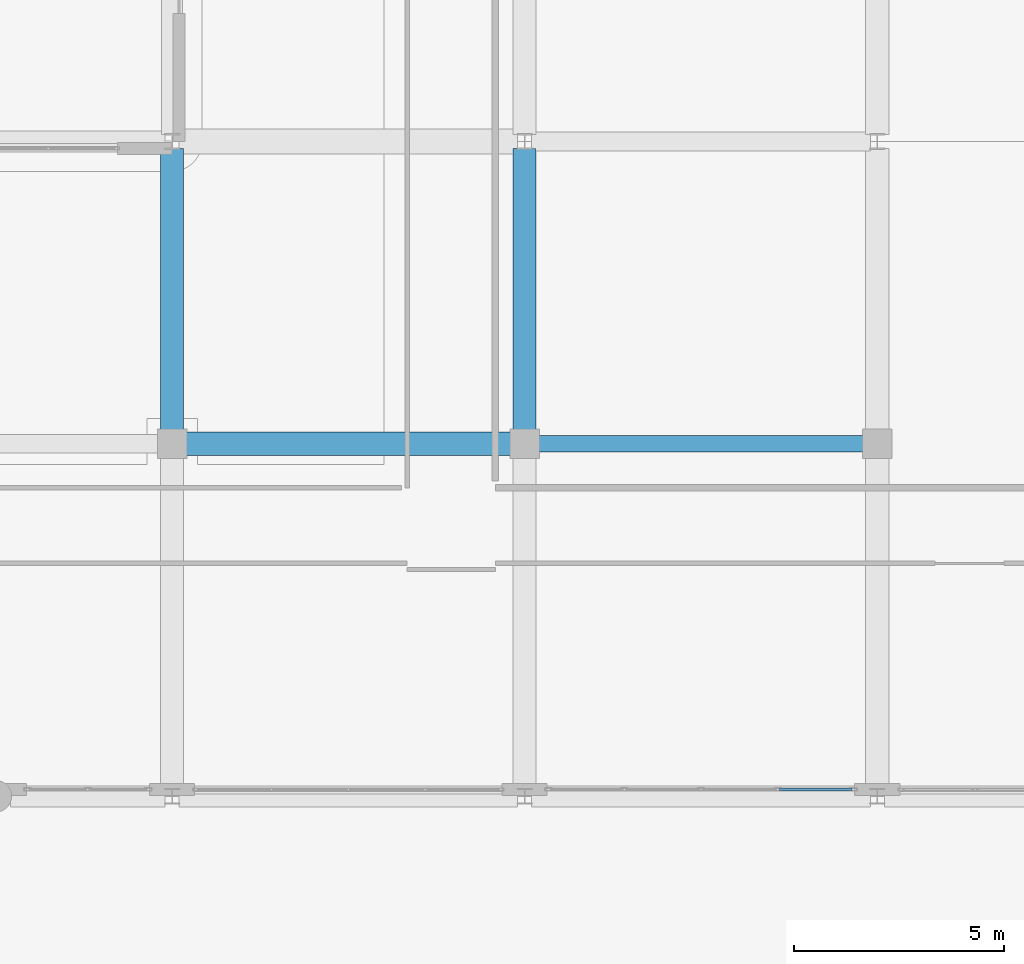
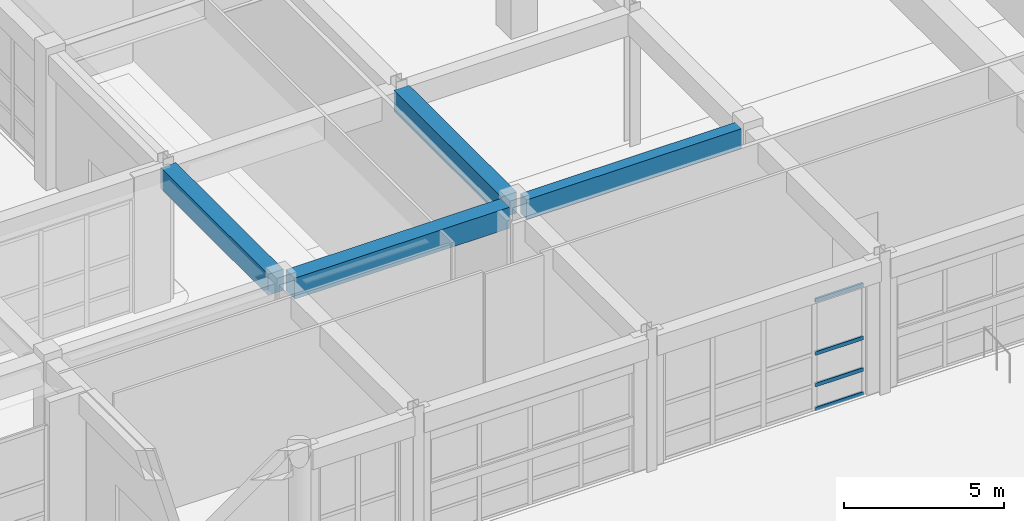
# One storey, part 47 of 148: 4 beams, 4 members, 1 element without a shape of its own.
"""IFC4 building model written with IfcOpenShell, lengths in metres."""

from ifc_helpers import new_model, si_unit, direction, frame, origin, origin_2d, place, context, subcontext, project, spatial, rectangle, hollow_rectangle, extrude, material, layer, layer_set, material_profile, profile_set, type_object, element, aggregate, save


model = new_model("IFC4")

# Units and contexts
model_context = context("Model", 3, precision=1e-05, world=origin(), true_north=direction((0.0, 1.0)))
body_context = subcontext(model_context, "Body", "Model", "MODEL_VIEW")
ifc_project = project(units=[si_unit("LENGTHUNIT", "METRE"), si_unit("AREAUNIT", "SQUARE_METRE"), si_unit("VOLUMEUNIT", "CUBIC_METRE"), si_unit("PLANEANGLEUNIT", "RADIAN"), si_unit("MASSUNIT", "GRAM", prefix="KILO")], contexts=[model_context])

# Site, building, storey
site_placement = place(None, origin())
site = spatial("IfcSite", under=ifc_project, at=site_placement, CompositionType="ELEMENT")
building_placement = place(site_placement, origin())
building = spatial("IfcBuilding", under=site, at=building_placement, Name="Quendrovan Civic Courthouse", CompositionType="ELEMENT")
storey_placement = place(building_placement, origin())
storey = spatial("IfcBuildingStorey", under=building, at=storey_placement, Name="L01", CompositionType="ELEMENT", Elevation=0.0)

# Beams
ifc_material_1 = material(Name="Concrete C40/50", Category="concrete")
ifc_material_profile_1 = material_profile(ifc_material_1, rectangle(XDim=0.39990234375, YDim=0.75, at=origin_2d()), Name="RC-BM-400x750")
ifc_profile_set_1 = profile_set([ifc_material_profile_1], Name="Concrete C40/50")
beam_type_1 = type_object("IfcBeamType", Name="BM-RC750B", PredefinedType="BEAM", material=ifc_profile_set_1)
beam_1_placement = place(storey_placement, frame((42.330078125, 73.199951171875, 4.7451171875), z_axis=(1.0, 0.0, 0.0), x_axis=(0.0, 1.0, 0.0)))
element("IfcBeam", 1, at=beam_1_placement, inside=storey, type_object=beam_type_1, Name="L01 Girder X0304", PredefinedType="BEAM", context=body_context, shape_type="SweptSolid", body=[
    extrude(rectangle(XDim=0.39990234375, YDim=0.75, at=origin_2d()), origin(), (0.0, 0.0, 1.0), 7.739990234375),
])
ifc_material_profile_2 = material_profile(ifc_material_1, rectangle(XDim=0.550048828125, YDim=0.800048828125, at=origin_2d()), Name="RC-BM-550x800")
ifc_profile_set_2 = profile_set([ifc_material_profile_2], Name="Concrete C40/50")
beam_type_2 = type_object("IfcBeamType", Name="BM-RC800", PredefinedType="BEAM", material=ifc_profile_set_2)
beam_2_placement = place(storey_placement, frame((33.929931640625, 73.199951171875, 4.719970703125), z_axis=(1.0, 0.0, 0.0), x_axis=(0.0, 1.0, 0.0)))
element("IfcBeam", 2, at=beam_2_placement, inside=storey, type_object=beam_type_2, Name="L01 Girder X0303", PredefinedType="BEAM", context=body_context, shape_type="SweptSolid", body=[
    extrude(rectangle(XDim=0.550048828125, YDim=0.800048828125, at=origin_2d()), origin(), (0.0, 0.0, 1.0), 7.739990234375),
])
for number, where, z_axis, x_axis, name in (
    (3, (33.60009765625, 73.530029296875, 4.719970703125), (0.0, 1.0, 0.0), (-1.0, 0.0, 0.0), "L01 Girder Y0405"),
    (4, (42.0, 73.530029296875, 4.719970703125), (0.0, 1.0, 0.0), (-1.0, 0.0, 0.0), "L01 Girder Y0413"),
):
    element("IfcBeam", number, at=place(storey_placement, frame(where, z_axis=z_axis, x_axis=x_axis)), inside=storey, type_object=beam_type_2, Name=name, PredefinedType="BEAM", context=body_context, shape_type="SweptSolid", body=[
        extrude(rectangle(XDim=0.550048828125, YDim=0.800048828125, at=origin_2d()), origin(), (0.0, 0.0, 1.0), 6.703857421875),
    ])

# Curtain wall, members
ifc_material_2 = material(Name="Bronze anodised aluminium and low-E glass", Category="aluminium")
ifc_layer = layer(ifc_material_2, 0.179931640625, Name="Bronze anodised aluminium and low-E glass")
ifc_layer_set = layer_set([ifc_layer], Name="Bronze anodised aluminium and low-E glass")
curtain_wall_type = type_object("IfcCurtainWallType", Name="CW-U73x42", PredefinedType="USERDEFINED", material=ifc_layer_set)
curtain_wall_placement = place(storey_placement, origin())
curtain_wall = element("IfcCurtainWall", 5, at=curtain_wall_placement, inside=storey, type_object=curtain_wall_type, Name="L01 Unitised Hurricane Curtain Wall CW-064", ObjectType="UNITISED CURTAIN WALL", PredefinedType="USERDEFINED")
ifc_material_3 = material(Name="Bronze anodised aluminium", Category="aluminium")
ifc_material_profile_3 = material_profile(ifc_material_3, hollow_rectangle(XDim=0.070068359375, YDim=0.139892578125, WallThickness=0.00390625, at=origin_2d()), Name="CW-TRAN-70x140")
ifc_profile_set_3 = profile_set([ifc_material_profile_3], Name="Bronze anodised aluminium")
member_type = type_object("IfcMemberType", Name="CW-TRAN-A", PredefinedType="USERDEFINED", material=ifc_profile_set_3)
member_1_placement = place(storey_placement, frame((49.79296875, 64.965087890625, 0.034912109375), z_axis=(-1.0, 0.0, 0.0), x_axis=(0.0, -1.0, 0.0)))
member_1 = element("IfcMember", 6, at=member_1_placement, type_object=member_type, Name="CW-064 transom 1.1", ObjectType="TRANSOM", PredefinedType="USERDEFINED", context=body_context, shape_type="SweptSolid", body=[
    extrude(hollow_rectangle(XDim=0.070068359375, YDim=0.139892578125, WallThickness=0.00390625, at=origin_2d()), origin(), (0.0, 0.0, 1.0), 1.7265625),
])
member_2_placement = place(storey_placement, frame((49.79296875, 64.965087890625, 0.949951171875), z_axis=(-1.0, 0.0, 0.0), x_axis=(0.0, -1.0, 0.0)))
member_2 = element("IfcMember", 7, at=member_2_placement, type_object=member_type, Name="CW-064 transom 1.2", ObjectType="TRANSOM", PredefinedType="USERDEFINED", context=body_context, shape_type="SweptSolid", body=[
    extrude(hollow_rectangle(XDim=0.070068359375, YDim=0.139892578125, WallThickness=0.00390625, at=origin_2d()), origin(), (0.0, 0.0, 1.0), 1.7265625),
])
member_3_placement = place(storey_placement, frame((49.79296875, 64.965087890625, 2.14990234375), z_axis=(-1.0, 0.0, 0.0), x_axis=(0.0, -1.0, 0.0)))
member_3 = element("IfcMember", 8, at=member_3_placement, type_object=member_type, Name="CW-064 transom 1.3", ObjectType="TRANSOM", PredefinedType="USERDEFINED", context=body_context, shape_type="SweptSolid", body=[
    extrude(hollow_rectangle(XDim=0.070068359375, YDim=0.139892578125, WallThickness=0.00390625, at=origin_2d()), origin(), (0.0, 0.0, 1.0), 1.7265625),
])
member_4_placement = place(storey_placement, frame((49.79296875, 64.965087890625, 4.1650390625), z_axis=(-1.0, 0.0, 0.0), x_axis=(0.0, -1.0, 0.0)))
member_4 = element("IfcMember", 9, at=member_4_placement, type_object=member_type, Name="CW-064 transom 1.4", ObjectType="TRANSOM", PredefinedType="USERDEFINED", context=body_context, shape_type="SweptSolid", body=[
    extrude(hollow_rectangle(XDim=0.070068359375, YDim=0.139892578125, WallThickness=0.00390625, at=origin_2d()), origin(), (0.0, 0.0, 1.0), 1.7265625),
])
aggregate(curtain_wall, [member_1, member_2, member_3, member_4])

save(model, "model.ifc")
